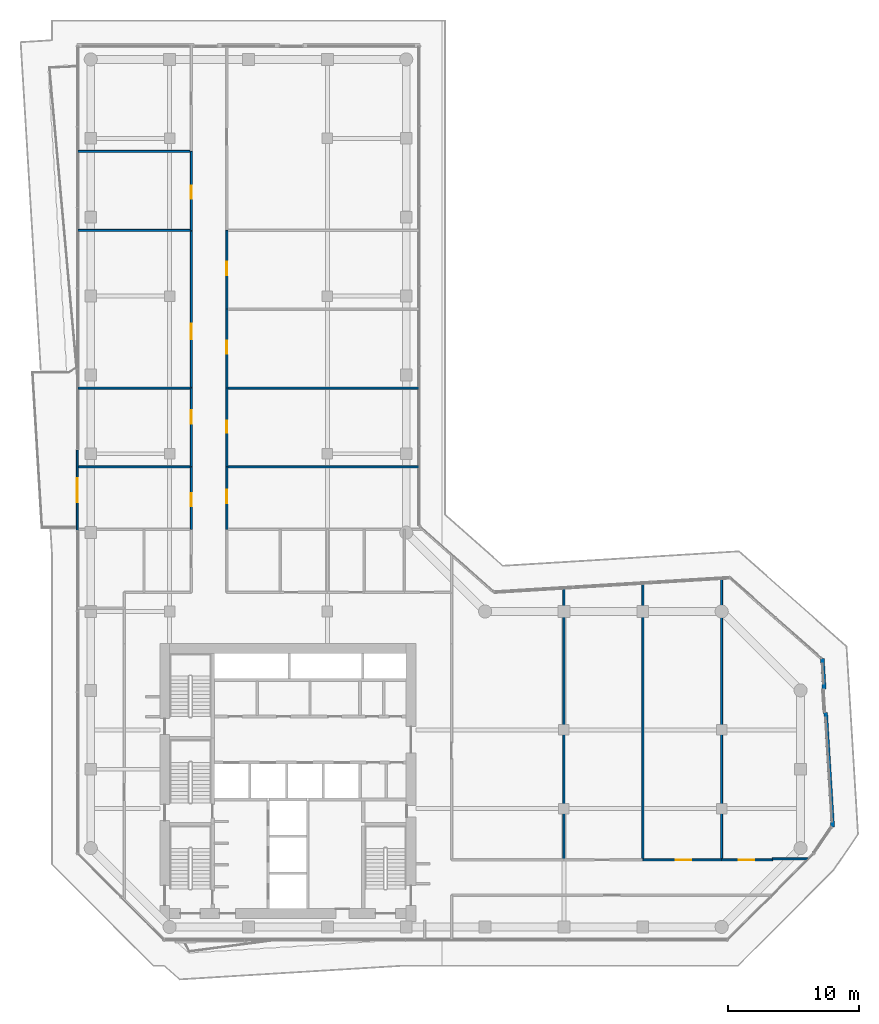
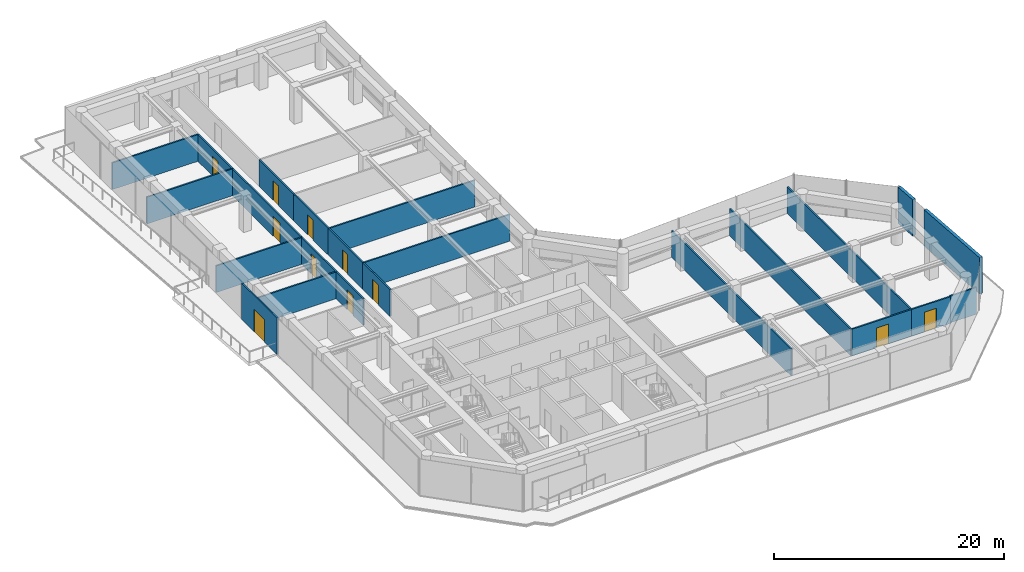
# One storey, part 20 of 23: 23 walls, 11 doors, 11 openings.
"""IFC4 building model written with IfcOpenShell, lengths in metres."""

from ifc_helpers import new_model, si_unit, direction, frame, frame_2d, origin, place, context, subcontext, project, spatial, rectangle, extrude, material, layer, layer_set, type_object, element, fill, save


model = new_model("IFC4")

# Units and contexts
model_context = context("Model", 3, precision=1e-05, world=origin(), true_north=direction((0.0, 1.0)))
body_context = subcontext(model_context, "Body", "Model", "MODEL_VIEW")
ifc_project = project(units=[si_unit("LENGTHUNIT", "METRE"), si_unit("AREAUNIT", "SQUARE_METRE"), si_unit("VOLUMEUNIT", "CUBIC_METRE"), si_unit("PLANEANGLEUNIT", "RADIAN"), si_unit("MASSUNIT", "GRAM", prefix="KILO")], contexts=[model_context])

# Site, building, storey
site_placement = place(None, origin())
site = spatial("IfcSite", under=ifc_project, at=site_placement, CompositionType="ELEMENT")
building_placement = place(site_placement, origin())
building = spatial("IfcBuilding", under=site, at=building_placement, Name="Welwitschia Terrace Campus", CompositionType="ELEMENT")
storey_placement = place(building_placement, frame((0.0, 0.0, 96.199951171875)))
storey = spatial("IfcBuildingStorey", under=building, at=storey_placement, Name="L21", CompositionType="ELEMENT", Elevation=96.199951171875)

# Wall, opening, door
ifc_material_1 = material(Name="Concrete C40/50", Category="concrete")
ifc_layer_1 = layer(ifc_material_1, 0.139892578125)
ifc_layer_set_1 = layer_set([ifc_layer_1], Name="Concrete C40/50")
wall_type_1 = type_object("IfcWallType", Name="Clad wall 140", PredefinedType="SOLIDWALL", material=ifc_layer_set_1)
wall_1_placement = place(storey_placement, frame((-1.030029296875, 40.3017578125, 0.0), z_axis=(0.0, 0.0, 1.0), x_axis=(0.0, -1.0, 0.0)))
wall_1 = element("IfcWall", 1, at=wall_1_placement, inside=storey, type_object=wall_type_1, Name="Clad wall L21.terrace door 0", PredefinedType="SOLIDWALL", context=body_context, shape_type="SweptSolid", body=[
    extrude(rectangle(XDim=6.145751953125, YDim=0.139892578125, at=frame_2d((3.07275390625, 0.0))), origin(), (0.0, 0.0, 1.0), 3.85009765625),
])
opening_1_placement = place(wall_1_placement, frame((2.1728515625, 0.0, 0.0)))
opening_1 = element("IfcOpeningElement", 2, at=opening_1_placement, cuts=wall_1, Name="Opening DE3", PredefinedType="OPENING", context=body_context, shape_type="SweptSolid", body=[
    extrude(rectangle(XDim=1.800048828125, YDim=2.39990234375, at=frame_2d((0.89990234375, 1.199951171875))), frame((0.0, 0.079833984375, 0.0), z_axis=(0.0, -1.0, 0.0), x_axis=(1.0, 0.0, 0.0)), (0.0, 0.0, 1.0), 0.159912109375),
])
ifc_material_2 = material(Name="Bronze anodised aluminium and glass", Category="aluminium")
door_type_1 = type_object("IfcDoorType", Name="Terrace door 1800x2400", OperationType="DOUBLE_DOOR_DOUBLE_SWING", PredefinedType="DOOR", material=ifc_material_2)
door_1_placement = place(opening_1_placement, origin())
door_1 = element("IfcDoor", 3, at=door_1_placement, inside=storey, type_object=door_type_1, Name="Door L21:T0", OperationType="DOUBLE_DOOR_DOUBLE_SWING", OverallHeight=2.39990234375, OverallWidth=1.800048828125, PredefinedType="DOOR", context=body_context, shape_type="SweptSolid", body=[
    extrude(rectangle(XDim=1.800048828125, YDim=2.39990234375, at=frame_2d((0.89990234375, 1.199951171875))), frame((0.0, 0.02490234375, 0.0), z_axis=(0.0, -1.0, 0.0), x_axis=(1.0, 0.0, 0.0)), (0.0, 0.0, 1.0), 0.050048828125),
])
fill(opening_1, door_1)

# Walls
ifc_material_3 = material(Name="Gypsum board on steel studs", Category="steel")
ifc_layer_2 = layer(ifc_material_3, 0.14990234375)
ifc_layer_set_2 = layer_set([ifc_layer_2], Name="Gypsum board on steel studs")
wall_type_2 = type_object("IfcWallType", Name="Corridor partition 150 EI 30", PredefinedType="PARTITIONING", material=ifc_layer_set_2)
for number, where, z_axis, x_axis, name in (
    (4, (-0.97998046875, 39.0, 0.0), (0.0, 0.0, 1.0), (1.0, 0.0, 0.0), "Partition"),
    (5, (-0.97998046875, 45.0, 0.0), (0.0, 0.0, 1.0), (1.0, 0.0, 0.0), "Partition"),
    (6, (-0.97998046875, 57.0, 0.0), (0.0, 0.0, 1.0), (1.0, 0.0, 0.0), "Partition"),
    (7, (-0.97998046875, 63.0, 0.0), (0.0, 0.0, 1.0), (1.0, 0.0, 0.0), "Partition"),
):
    element("IfcWall", number, at=place(storey_placement, frame(where, z_axis=z_axis, x_axis=x_axis)), inside=storey, type_object=wall_type_2, Name=name, PredefinedType="PARTITIONING", context=body_context, shape_type="SweptSolid", body=[
        extrude(rectangle(XDim=8.6298828125, YDim=0.14990234375, at=frame_2d((4.31494140625, 0.0))), origin(), (0.0, 0.0, 1.0), 2.830078125),
    ])

# Wall, opening, door
wall_2_placement = place(storey_placement, frame((7.64990234375, 34.25, 0.0), z_axis=(0.0, 0.0, 1.0), x_axis=(0.0, 1.0, 0.0)))
wall_2 = element("IfcWall", 8, at=wall_2_placement, inside=storey, type_object=wall_type_2, Name="Partition", PredefinedType="PARTITIONING", context=body_context, shape_type="SweptSolid", body=[
    extrude(rectangle(XDim=4.75, YDim=0.14990234375, at=frame_2d((2.375, 0.0))), origin(), (0.0, 0.0, 1.0), 2.830078125),
])
opening_2_placement = place(wall_2_placement, frame((1.75, 0.0, 0.0)))
opening_2 = element("IfcOpeningElement", 9, at=opening_2_placement, cuts=wall_2, Name="Opening DI10", PredefinedType="OPENING", context=body_context, shape_type="SweptSolid", body=[
    extrude(rectangle(XDim=1.0, YDim=2.10009765625, at=frame_2d((0.5, 1.050048828125))), frame((0.0, 0.0849609375, 0.0), z_axis=(0.0, -1.0, 0.0), x_axis=(1.0, 0.0, 0.0)), (0.0, 0.0, 1.0), 0.169921875),
])
ifc_material_4 = material(Name="Timber veneered door", Category="wood")
door_type_2 = type_object("IfcDoorType", Name="Interior door DI10", OperationType="NOTDEFINED", PredefinedType="DOOR", material=ifc_material_4)
door_2_placement = place(opening_2_placement, origin())
door_2 = element("IfcDoor", 10, at=door_2_placement, inside=storey, type_object=door_type_2, Name="Door L21 461", OperationType="SINGLE_SWING_RIGHT", OverallHeight=2.10009765625, OverallWidth=1.0, PredefinedType="DOOR", context=body_context, shape_type="SweptSolid", body=[
    extrude(rectangle(XDim=1.0, YDim=2.10009765625, at=frame_2d((0.5, 1.050048828125))), frame((0.0, 0.02490234375, 0.0), z_axis=(0.0, -1.0, 0.0), x_axis=(1.0, 0.0, 0.0)), (0.0, 0.0, 1.0), 0.050048828125),
])
fill(opening_2, door_2)

wall_3_placement = place(storey_placement, frame((7.64990234375, 39.0, 0.0), z_axis=(0.0, 0.0, 1.0), x_axis=(0.0, 1.0, 0.0)))
wall_3 = element("IfcWall", 11, at=wall_3_placement, inside=storey, type_object=wall_type_2, Name="Partition", PredefinedType="PARTITIONING", context=body_context, shape_type="SweptSolid", body=[
    extrude(rectangle(XDim=6.0, YDim=0.14990234375, at=frame_2d((3.0, 0.0))), origin(), (0.0, 0.0, 1.0), 2.830078125),
])
opening_3_placement = place(wall_3_placement, frame((3.300048828125, 0.0, 0.0)))
opening_3 = element("IfcOpeningElement", 12, at=opening_3_placement, cuts=wall_3, Name="Opening DI10", PredefinedType="OPENING", context=body_context, shape_type="SweptSolid", body=[
    extrude(rectangle(XDim=1.0, YDim=2.10009765625, at=frame_2d((0.5, 1.050048828125))), frame((0.0, 0.0849609375, 0.0), z_axis=(0.0, -1.0, 0.0), x_axis=(1.0, 0.0, 0.0)), (0.0, 0.0, 1.0), 0.169921875),
])
door_3_placement = place(opening_3_placement, origin())
door_3 = element("IfcDoor", 13, at=door_3_placement, inside=storey, type_object=door_type_2, Name="Door L21 462", OperationType="SINGLE_SWING_LEFT", OverallHeight=2.10009765625, OverallWidth=1.0, PredefinedType="DOOR", context=body_context, shape_type="SweptSolid", body=[
    extrude(rectangle(XDim=1.0, YDim=2.10009765625, at=frame_2d((0.5, 1.050048828125))), frame((0.0, 0.02490234375, 0.0), z_axis=(0.0, -1.0, 0.0), x_axis=(1.0, 0.0, 0.0)), (0.0, 0.0, 1.0), 0.050048828125),
])
fill(opening_3, door_3)

wall_4_placement = place(storey_placement, frame((7.64990234375, 45.0, 0.0), z_axis=(0.0, 0.0, 1.0), x_axis=(0.0, 1.0, 0.0)))
wall_4 = element("IfcWall", 14, at=wall_4_placement, inside=storey, type_object=wall_type_2, Name="Partition", PredefinedType="PARTITIONING", context=body_context, shape_type="SweptSolid", body=[
    extrude(rectangle(XDim=12.0, YDim=0.14990234375, at=frame_2d((6.0, 0.0))), origin(), (0.0, 0.0, 1.0), 2.830078125),
])
opening_4_placement = place(wall_4_placement, frame((3.699951171875, 0.0, 0.0)))
opening_4 = element("IfcOpeningElement", 15, at=opening_4_placement, cuts=wall_4, Name="Opening DI12", PredefinedType="OPENING", context=body_context, shape_type="SweptSolid", body=[
    extrude(rectangle(XDim=1.199951171875, YDim=2.10009765625, at=frame_2d((0.60009765625, 1.050048828125))), frame((0.0, 0.0849609375, 0.0), z_axis=(0.0, -1.0, 0.0), x_axis=(1.0, 0.0, 0.0)), (0.0, 0.0, 1.0), 0.169921875),
])
ifc_material_5 = material(Name="Timber veneered door", Category="wood")
door_type_3 = type_object("IfcDoorType", Name="Interior door DI12", OperationType="NOTDEFINED", PredefinedType="DOOR", material=ifc_material_5)
door_4_placement = place(opening_4_placement, origin())
door_4 = element("IfcDoor", 16, at=door_4_placement, inside=storey, type_object=door_type_3, Name="Door L21 463", OperationType="SINGLE_SWING_RIGHT", OverallHeight=2.10009765625, OverallWidth=1.199951171875, PredefinedType="DOOR", context=body_context, shape_type="SweptSolid", body=[
    extrude(rectangle(XDim=1.199951171875, YDim=2.10009765625, at=frame_2d((0.60009765625, 1.050048828125))), frame((0.0, 0.02490234375, 0.0), z_axis=(0.0, -1.0, 0.0), x_axis=(1.0, 0.0, 0.0)), (0.0, 0.0, 1.0), 0.050048828125),
])
fill(opening_4, door_4)

wall_5_placement = place(storey_placement, frame((7.64990234375, 57.0, 0.0), z_axis=(0.0, 0.0, 1.0), x_axis=(0.0, 1.0, 0.0)))
wall_5 = element("IfcWall", 17, at=wall_5_placement, inside=storey, type_object=wall_type_2, Name="Partition", PredefinedType="PARTITIONING", context=body_context, shape_type="SweptSolid", body=[
    extrude(rectangle(XDim=6.0, YDim=0.14990234375, at=frame_2d((3.0, 0.0))), origin(), (0.0, 0.0, 1.0), 2.830078125),
])
opening_5_placement = place(wall_5_placement, frame((2.39990234375, 0.0, 0.0)))
opening_5 = element("IfcOpeningElement", 18, at=opening_5_placement, cuts=wall_5, Name="Opening DI10", PredefinedType="OPENING", context=body_context, shape_type="SweptSolid", body=[
    extrude(rectangle(XDim=1.0, YDim=2.10009765625, at=frame_2d((0.5, 1.050048828125))), frame((0.0, 0.0849609375, 0.0), z_axis=(0.0, -1.0, 0.0), x_axis=(1.0, 0.0, 0.0)), (0.0, 0.0, 1.0), 0.169921875),
])
door_5_placement = place(opening_5_placement, origin())
door_5 = element("IfcDoor", 19, at=door_5_placement, inside=storey, type_object=door_type_2, Name="Door L21 464", OperationType="SINGLE_SWING_LEFT", OverallHeight=2.10009765625, OverallWidth=1.0, PredefinedType="DOOR", context=body_context, shape_type="SweptSolid", body=[
    extrude(rectangle(XDim=1.0, YDim=2.10009765625, at=frame_2d((0.5, 1.050048828125))), frame((0.0, 0.02490234375, 0.0), z_axis=(0.0, -1.0, 0.0), x_axis=(1.0, 0.0, 0.0)), (0.0, 0.0, 1.0), 0.050048828125),
])
fill(opening_5, door_5)

wall_6_placement = place(storey_placement, frame((10.35009765625, 39.0, 0.0), z_axis=(0.0, 0.0, 1.0), x_axis=(0.0, -1.0, 0.0)))
wall_6 = element("IfcWall", 20, at=wall_6_placement, inside=storey, type_object=wall_type_2, Name="Partition", PredefinedType="PARTITIONING", context=body_context, shape_type="SweptSolid", body=[
    extrude(rectangle(XDim=4.75, YDim=0.14990234375, at=frame_2d((2.375, 0.0))), origin(), (0.0, 0.0, 1.0), 2.830078125),
])
opening_6_placement = place(wall_6_placement, frame((1.75, 0.0, 0.0)))
opening_6 = element("IfcOpeningElement", 21, at=opening_6_placement, cuts=wall_6, Name="Opening DI10", PredefinedType="OPENING", context=body_context, shape_type="SweptSolid", body=[
    extrude(rectangle(XDim=1.0, YDim=2.10009765625, at=frame_2d((0.5, 1.050048828125))), frame((0.0, 0.0849609375, 0.0), z_axis=(0.0, -1.0, 0.0), x_axis=(1.0, 0.0, 0.0)), (0.0, 0.0, 1.0), 0.169921875),
])
door_6_placement = place(opening_6_placement, origin())
door_6 = element("IfcDoor", 22, at=door_6_placement, inside=storey, type_object=door_type_2, Name="Door L21 466", OperationType="SINGLE_SWING_LEFT", OverallHeight=2.10009765625, OverallWidth=1.0, PredefinedType="DOOR", context=body_context, shape_type="SweptSolid", body=[
    extrude(rectangle(XDim=1.0, YDim=2.10009765625, at=frame_2d((0.5, 1.050048828125))), frame((0.0, 0.02490234375, 0.0), z_axis=(0.0, -1.0, 0.0), x_axis=(1.0, 0.0, 0.0)), (0.0, 0.0, 1.0), 0.050048828125),
])
fill(opening_6, door_6)

# Wall
wall_7_placement = place(storey_placement, frame((10.35009765625, 39.0, 0.0), z_axis=(0.0, 0.0, 1.0), x_axis=(1.0, 0.0, 0.0)))
element("IfcWall", 23, at=wall_7_placement, inside=storey, type_object=wall_type_2, Name="Partition", PredefinedType="PARTITIONING", context=body_context, shape_type="SweptSolid", body=[
    extrude(rectangle(XDim=14.6298828125, YDim=0.14990234375, at=frame_2d((7.31494140625, 0.0))), origin(), (0.0, 0.0, 1.0), 2.830078125),
])

# Wall, opening, door
wall_8_placement = place(storey_placement, frame((10.35009765625, 45.0, 0.0), z_axis=(0.0, 0.0, 1.0), x_axis=(0.0, -1.0, 0.0)))
wall_8 = element("IfcWall", 24, at=wall_8_placement, inside=storey, type_object=wall_type_2, Name="Partition", PredefinedType="PARTITIONING", context=body_context, shape_type="SweptSolid", body=[
    extrude(rectangle(XDim=6.0, YDim=0.14990234375, at=frame_2d((3.0, 0.0))), origin(), (0.0, 0.0, 1.0), 2.830078125),
])
opening_7_placement = place(wall_8_placement, frame((2.5, 0.0, 0.0)))
opening_7 = element("IfcOpeningElement", 25, at=opening_7_placement, cuts=wall_8, Name="Opening DI09", PredefinedType="OPENING", context=body_context, shape_type="SweptSolid", body=[
    extrude(rectangle(XDim=0.89990234375, YDim=2.10009765625, at=frame_2d((0.449951171875, 1.050048828125))), frame((0.0, 0.0849609375, 0.0), z_axis=(0.0, -1.0, 0.0), x_axis=(1.0, 0.0, 0.0)), (0.0, 0.0, 1.0), 0.169921875),
])
ifc_material_6 = material(Name="Timber veneered door", Category="wood")
door_type_4 = type_object("IfcDoorType", Name="Interior door DI09", OperationType="NOTDEFINED", PredefinedType="DOOR", material=ifc_material_6)
door_7_placement = place(opening_7_placement, origin())
door_7 = element("IfcDoor", 26, at=door_7_placement, inside=storey, type_object=door_type_4, Name="Door L21 467", OperationType="SINGLE_SWING_RIGHT", OverallHeight=2.10009765625, OverallWidth=0.89990234375, PredefinedType="DOOR", context=body_context, shape_type="SweptSolid", body=[
    extrude(rectangle(XDim=0.89990234375, YDim=2.10009765625, at=frame_2d((0.449951171875, 1.050048828125))), frame((0.0, 0.02490234375, 0.0), z_axis=(0.0, -1.0, 0.0), x_axis=(1.0, 0.0, 0.0)), (0.0, 0.0, 1.0), 0.050048828125),
])
fill(opening_7, door_7)

# Wall
wall_9_placement = place(storey_placement, frame((10.35009765625, 45.0, 0.0), z_axis=(0.0, 0.0, 1.0), x_axis=(1.0, 0.0, 0.0)))
element("IfcWall", 27, at=wall_9_placement, inside=storey, type_object=wall_type_2, Name="Partition", PredefinedType="PARTITIONING", context=body_context, shape_type="SweptSolid", body=[
    extrude(rectangle(XDim=14.6298828125, YDim=0.14990234375, at=frame_2d((7.31494140625, 0.0))), origin(), (0.0, 0.0, 1.0), 2.830078125),
])

# Wall, opening, door
wall_10_placement = place(storey_placement, frame((10.35009765625, 51.0, 0.0), z_axis=(0.0, 0.0, 1.0), x_axis=(0.0, -1.0, 0.0)))
wall_10 = element("IfcWall", 28, at=wall_10_placement, inside=storey, type_object=wall_type_2, Name="Partition", PredefinedType="PARTITIONING", context=body_context, shape_type="SweptSolid", body=[
    extrude(rectangle(XDim=6.0, YDim=0.14990234375, at=frame_2d((3.0, 0.0))), origin(), (0.0, 0.0, 1.0), 2.830078125),
])
opening_8_placement = place(wall_10_placement, frame((2.39990234375, 0.0, 0.0)))
opening_8 = element("IfcOpeningElement", 29, at=opening_8_placement, cuts=wall_10, Name="Opening DI10", PredefinedType="OPENING", context=body_context, shape_type="SweptSolid", body=[
    extrude(rectangle(XDim=1.0, YDim=2.10009765625, at=frame_2d((0.5, 1.050048828125))), frame((0.0, 0.0849609375, 0.0), z_axis=(0.0, -1.0, 0.0), x_axis=(1.0, 0.0, 0.0)), (0.0, 0.0, 1.0), 0.169921875),
])
door_8_placement = place(opening_8_placement, origin())
door_8 = element("IfcDoor", 30, at=door_8_placement, inside=storey, type_object=door_type_2, Name="Door L21 468", OperationType="SINGLE_SWING_LEFT", OverallHeight=2.10009765625, OverallWidth=1.0, PredefinedType="DOOR", context=body_context, shape_type="SweptSolid", body=[
    extrude(rectangle(XDim=1.0, YDim=2.10009765625, at=frame_2d((0.5, 1.050048828125))), frame((0.0, 0.02490234375, 0.0), z_axis=(0.0, -1.0, 0.0), x_axis=(1.0, 0.0, 0.0)), (0.0, 0.0, 1.0), 0.050048828125),
])
fill(opening_8, door_8)

wall_11_placement = place(storey_placement, frame((10.35009765625, 57.0, 0.0), z_axis=(0.0, 0.0, 1.0), x_axis=(0.0, -1.0, 0.0)))
wall_11 = element("IfcWall", 31, at=wall_11_placement, inside=storey, type_object=wall_type_2, Name="Partition", PredefinedType="PARTITIONING", context=body_context, shape_type="SweptSolid", body=[
    extrude(rectangle(XDim=6.0, YDim=0.14990234375, at=frame_2d((3.0, 0.0))), origin(), (0.0, 0.0, 1.0), 2.830078125),
])
opening_9_placement = place(wall_11_placement, frame((2.39990234375, 0.0, 0.0)))
opening_9 = element("IfcOpeningElement", 32, at=opening_9_placement, cuts=wall_11, Name="Opening DI10", PredefinedType="OPENING", context=body_context, shape_type="SweptSolid", body=[
    extrude(rectangle(XDim=1.0, YDim=2.10009765625, at=frame_2d((0.5, 1.050048828125))), frame((0.0, 0.0849609375, 0.0), z_axis=(0.0, -1.0, 0.0), x_axis=(1.0, 0.0, 0.0)), (0.0, 0.0, 1.0), 0.169921875),
])
door_9_placement = place(opening_9_placement, origin())
door_9 = element("IfcDoor", 33, at=door_9_placement, inside=storey, type_object=door_type_2, Name="Door L21 469", OperationType="SINGLE_SWING_RIGHT", OverallHeight=2.10009765625, OverallWidth=1.0, PredefinedType="DOOR", context=body_context, shape_type="SweptSolid", body=[
    extrude(rectangle(XDim=1.0, YDim=2.10009765625, at=frame_2d((0.5, 1.050048828125))), frame((0.0, 0.02490234375, 0.0), z_axis=(0.0, -1.0, 0.0), x_axis=(1.0, 0.0, 0.0)), (0.0, 0.0, 1.0), 0.050048828125),
])
fill(opening_9, door_9)

# Walls
wall_12_placement = place(storey_placement, frame((36.0, 9.10009765625, 0.0), z_axis=(0.0, 0.0, 1.0), x_axis=(0.0, 1.0, 0.0)))
element("IfcWall", 34, at=wall_12_placement, inside=storey, type_object=wall_type_2, Name="Partition", PredefinedType="PARTITIONING", context=body_context, shape_type="SweptSolid", body=[
    extrude(rectangle(XDim=20.68994140625, YDim=0.14990234375, at=frame_2d((10.344970703125, 0.0))), origin(), (0.0, 0.0, 1.0), 2.830078125),
])
wall_13_placement = place(storey_placement, frame((42.0, 9.10009765625, 0.0), z_axis=(0.0, 0.0, 1.0), x_axis=(0.0, 1.0, 0.0)))
element("IfcWall", 35, at=wall_13_placement, inside=storey, type_object=wall_type_2, Name="Partition", PredefinedType="PARTITIONING", context=body_context, shape_type="SweptSolid", body=[
    extrude(rectangle(XDim=21.0498046875, YDim=0.14990234375, at=frame_2d((10.52490234375, 0.0))), origin(), (0.0, 0.0, 1.0), 2.830078125),
])

# Wall, opening, door
wall_14_placement = place(storey_placement, frame((42.0, 9.10009765625, 0.0), z_axis=(0.0, 0.0, 1.0), x_axis=(1.0, 0.0, 0.0)))
wall_14 = element("IfcWall", 36, at=wall_14_placement, inside=storey, type_object=wall_type_2, Name="Partition", PredefinedType="PARTITIONING", context=body_context, shape_type="SweptSolid", body=[
    extrude(rectangle(XDim=6.0, YDim=0.14990234375, at=frame_2d((3.0, 0.0))), origin(), (0.0, 0.0, 1.0), 2.830078125),
])
opening_10_placement = place(wall_14_placement, frame((2.5, 0.0, 0.0)))
opening_10 = element("IfcOpeningElement", 37, at=opening_10_placement, cuts=wall_14, Name="Opening DX12", PredefinedType="OPENING", context=body_context, shape_type="SweptSolid", body=[
    extrude(rectangle(XDim=1.199951171875, YDim=2.10009765625, at=frame_2d((0.60009765625, 1.050048828125))), frame((0.0, 0.0849609375, 0.0), z_axis=(0.0, -1.0, 0.0), x_axis=(1.0, 0.0, 0.0)), (0.0, 0.0, 1.0), 0.169921875),
])
ifc_material_7 = material(Name="Timber veneered door", Category="wood")
door_type_5 = type_object("IfcDoorType", Name="Interior door DX12", OperationType="NOTDEFINED", PredefinedType="DOOR", material=ifc_material_7)
door_10_placement = place(opening_10_placement, origin())
door_10 = element("IfcDoor", 38, at=door_10_placement, inside=storey, type_object=door_type_5, Name="Door L21 476", OperationType="SINGLE_SWING_LEFT", OverallHeight=2.10009765625, OverallWidth=1.199951171875, PredefinedType="DOOR", context=body_context, shape_type="SweptSolid", body=[
    extrude(rectangle(XDim=1.199951171875, YDim=2.10009765625, at=frame_2d((0.60009765625, 1.050048828125))), frame((0.0, 0.02490234375, 0.0), z_axis=(0.0, -1.0, 0.0), x_axis=(1.0, 0.0, 0.0)), (0.0, 0.0, 1.0), 0.050048828125),
])
fill(opening_10, door_10)

# Wall
wall_15_placement = place(storey_placement, frame((48.0, 9.10009765625, 0.0), z_axis=(0.0, 0.0, 1.0), x_axis=(0.0, 1.0, 0.0)))
element("IfcWall", 39, at=wall_15_placement, inside=storey, type_object=wall_type_2, Name="Partition", PredefinedType="PARTITIONING", context=body_context, shape_type="SweptSolid", body=[
    extrude(rectangle(XDim=21.419921875, YDim=0.14990234375, at=frame_2d((10.7099609375, 0.0))), origin(), (0.0, 0.0, 1.0), 2.830078125),
])

# Wall, opening, door
wall_16_placement = place(storey_placement, frame((48.0, 9.10009765625, 0.0), z_axis=(0.0, 0.0, 1.0), x_axis=(1.0, 0.0, 0.0)))
wall_16 = element("IfcWall", 40, at=wall_16_placement, inside=storey, type_object=wall_type_2, Name="Partition", PredefinedType="PARTITIONING", context=body_context, shape_type="SweptSolid", body=[
    extrude(rectangle(XDim=3.8798828125, YDim=0.14990234375, at=frame_2d((1.93994140625, 0.0))), origin(), (0.0, 0.0, 1.0), 2.830078125),
])
opening_11_placement = place(wall_16_placement, frame((1.280029296875, 0.0, 0.0)))
opening_11 = element("IfcOpeningElement", 41, at=opening_11_placement, cuts=wall_16, Name="Opening DI12", PredefinedType="OPENING", context=body_context, shape_type="SweptSolid", body=[
    extrude(rectangle(XDim=1.199951171875, YDim=2.10009765625, at=frame_2d((0.60009765625, 1.050048828125))), frame((0.0, 0.0849609375, 0.0), z_axis=(0.0, -1.0, 0.0), x_axis=(1.0, 0.0, 0.0)), (0.0, 0.0, 1.0), 0.169921875),
])
door_11_placement = place(opening_11_placement, origin())
door_11 = element("IfcDoor", 42, at=door_11_placement, inside=storey, type_object=door_type_3, Name="Door L21 477", OperationType="SINGLE_SWING_RIGHT", OverallHeight=2.10009765625, OverallWidth=1.199951171875, PredefinedType="DOOR", context=body_context, shape_type="SweptSolid", body=[
    extrude(rectangle(XDim=1.199951171875, YDim=2.10009765625, at=frame_2d((0.60009765625, 1.050048828125))), frame((0.0, 0.02490234375, 0.0), z_axis=(0.0, -1.0, 0.0), x_axis=(1.0, 0.0, 0.0)), (0.0, 0.0, 1.0), 0.050048828125),
])
fill(opening_11, door_11)

# Walls
wall_17_placement = place(storey_placement, frame((51.85009765625, 9.179931640625, 0.0), z_axis=(0.0, 0.0, 1.0), x_axis=(1.0, 0.0, 0.0)))
element("IfcWall", 43, at=wall_17_placement, inside=storey, type_object=wall_type_2, Name="Partition", PredefinedType="PARTITIONING", context=body_context, shape_type="SweptSolid", body=[
    extrude(rectangle(XDim=2.70166015625, YDim=0.14990234375, at=frame_2d((1.350830078125, 0.0))), origin(), (0.0, 0.0, 1.0), 2.830078125),
])
ifc_material_8 = material(Name="Concrete C40/50", Category="concrete")
ifc_layer_3 = layer(ifc_material_8, 0.300048828125)
ifc_layer_set_3 = layer_set([ifc_layer_3], Name="Concrete C40/50")
wall_type_3 = type_object("IfcWallType", Name="Mass wall 300", PredefinedType="SOLIDWALL", material=ifc_layer_set_3)
wall_18_placement = place(storey_placement, frame((56.440185546875, 11.59619140625, 0.0), z_axis=(0.0, 0.0, 1.0), x_axis=(-0.061073708323, 0.998133258714, 0.0)))
element("IfcWall", 44, at=wall_18_placement, inside=storey, type_object=wall_type_3, Name="Mass wall L21.4.0", PredefinedType="SOLIDWALL", context=body_context, shape_type="SweptSolid", body=[
    extrude(rectangle(XDim=8.738525390625, YDim=0.300048828125, at=frame_2d((4.369140625, 0.0))), origin(), (0.0, 0.0, 1.0), 3.85009765625),
])
wall_19_placement = place(storey_placement, frame((55.79638671875, 22.114990234375, 0.0), z_axis=(0.0, 0.0, 1.0), x_axis=(-0.061011339697, 0.998137072966, 0.0)))
element("IfcWall", 45, at=wall_19_placement, inside=storey, type_object=wall_type_3, Name="Mass wall L21.4.1", PredefinedType="SOLIDWALL", context=body_context, shape_type="SweptSolid", body=[
    extrude(rectangle(XDim=2.31298828125, YDim=0.300048828125, at=frame_2d((1.156494140625, 0.0))), origin(), (0.0, 0.0, 1.0), 3.85009765625),
])

save(model, "model.ifc")
